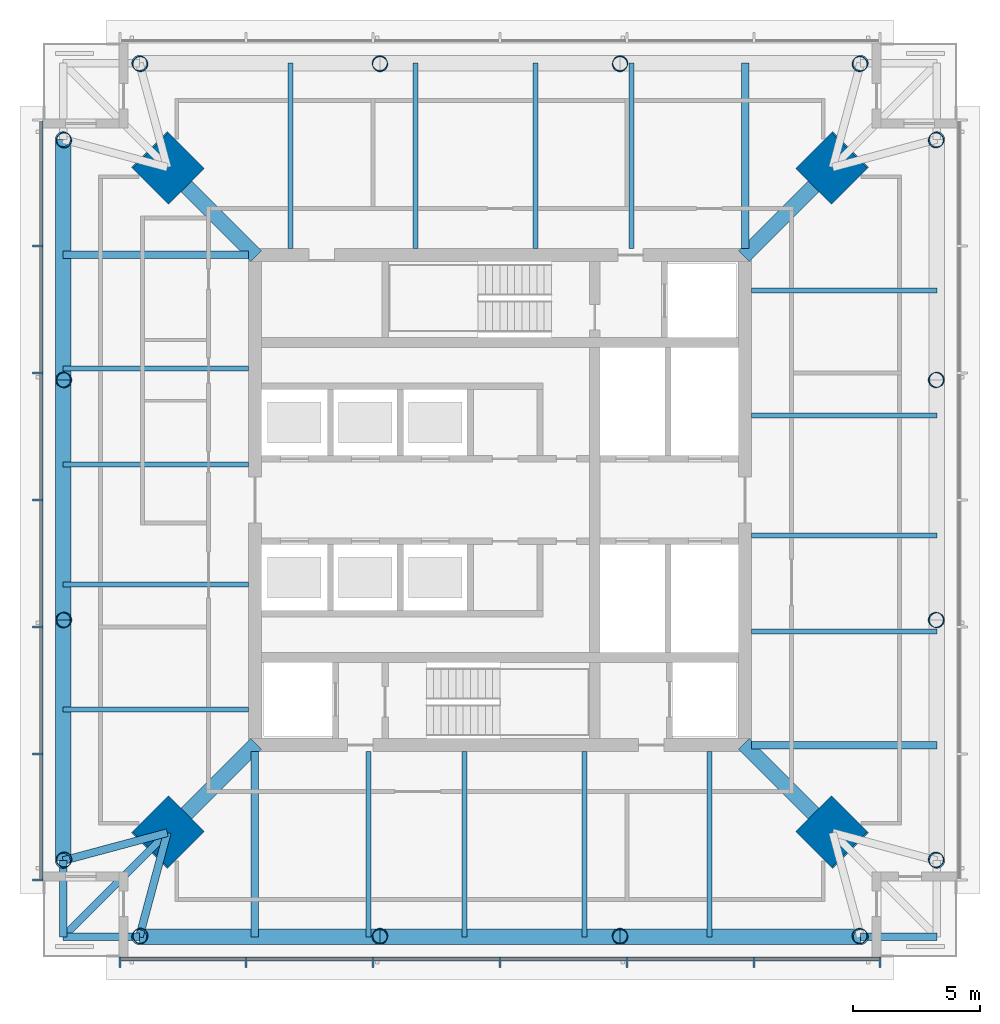
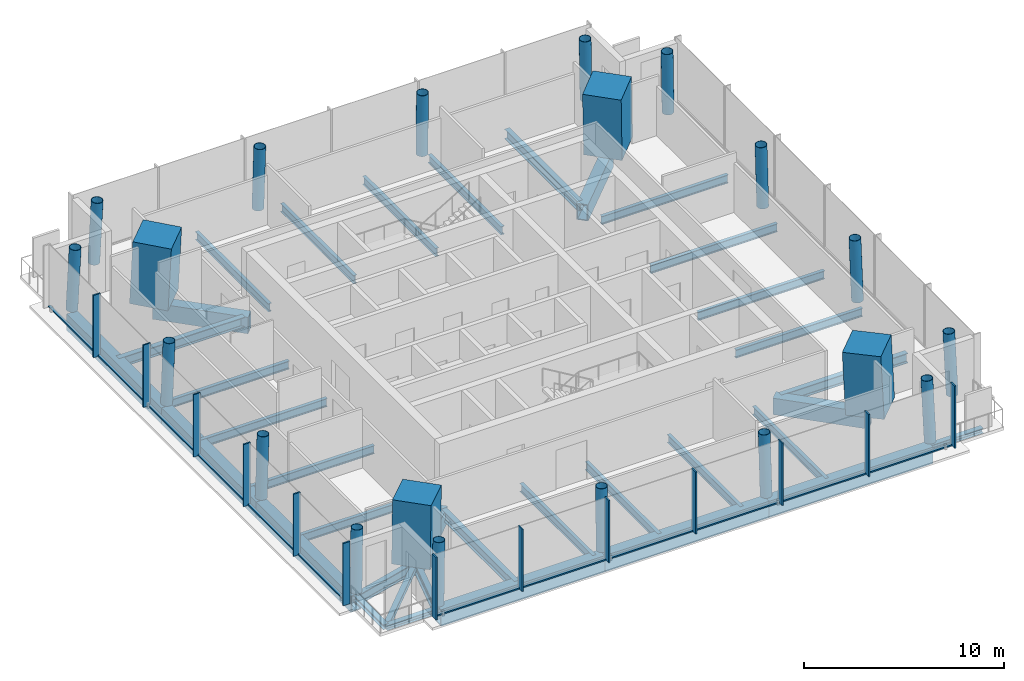
# One storey, part 1 of 10: 35 members, 26 beams, 20 columns, 2 elements without a shape of their own.
"""IFC4 building model written with IfcOpenShell, lengths in metres."""

from ifc_helpers import new_model, si_unit, direction, frame, origin, origin_2d, place, context, subcontext, project, spatial, rectangle, hollow_rectangle, hollow_circle, i_section, extrude, material, material_profile, profile_set, type_object, element, aggregate, save


model = new_model("IFC4")

# Units and contexts
model_context = context("Model", 3, precision=1e-05, world=origin(), true_north=direction((0.0, 1.0)))
body_context = subcontext(model_context, "Body", "Model", "MODEL_VIEW")
ifc_project = project(units=[si_unit("LENGTHUNIT", "METRE"), si_unit("AREAUNIT", "SQUARE_METRE"), si_unit("VOLUMEUNIT", "CUBIC_METRE"), si_unit("PLANEANGLEUNIT", "RADIAN"), si_unit("MASSUNIT", "GRAM", prefix="KILO")], contexts=[model_context])

# Site, building, storey
site_placement = place(None, origin())
site = spatial("IfcSite", under=ifc_project, at=site_placement, CompositionType="ELEMENT")
building_placement = place(site_placement, origin())
building = spatial("IfcBuilding", under=site, at=building_placement, Name="Ostroluk Exchange", CompositionType="ELEMENT")
storey_placement = place(building_placement, frame((0.0, 0.0, 233.800048828125)))
storey = spatial("IfcBuildingStorey", under=building, at=storey_placement, Name="L60", CompositionType="ELEMENT", Elevation=233.800048828125)

# Columns
ifc_material_1 = material(Name="Concrete C50/60", Category="concrete")
ifc_material_profile_1 = material_profile(ifc_material_1, rectangle(XDim=2.0, YDim=2.0, at=origin_2d()), Name="RC 2000x2000")
ifc_profile_set_1 = profile_set([ifc_material_profile_1], Name="Concrete C50/60")
column_type_1 = type_object("IfcColumnType", Name="Mega column RC 2000x2000", PredefinedType="COLUMN", material=ifc_profile_set_1)
for number, where, z_axis, x_axis, name in (
    (1, (58.10009765625, 59.10009765625, 0.0), (-0.031962158256, -0.031962158256, 0.998977898093), (0.707106781187, -0.707106781187, 0.0), "T1 mega column NE"),
    (2, (31.89990234375, 59.10009765625, 0.0), (0.031962158256, -0.031962158256, 0.998977898093), (0.707106781187, 0.707106781187, 0.0), "T1 mega column NW"),
    (3, (31.89990234375, 32.89990234375, 0.0), (0.031962158256, 0.031962158256, 0.998977898093), (-0.707106781187, 0.707106781187, 0.0), "T1 mega column SW"),
    (4, (58.10009765625, 32.89990234375, 0.0), (-0.031962158256, 0.031962158256, 0.998977898093), (-0.707106781187, -0.707106781187, 0.0), "T1 mega column SE"),
):
    element("IfcColumn", number, at=place(storey_placement, frame(where, z_axis=z_axis, x_axis=x_axis)), inside=storey, type_object=column_type_1, Name=name, PredefinedType="COLUMN", context=body_context, shape_type="SweptSolid", body=[
        extrude(rectangle(XDim=2.0, YDim=2.0, at=origin_2d()), origin(), (0.0, 0.0, 1.0), 3.803955078125),
    ])
ifc_material_2 = material(Name="Steel S460", Category="steel")
ifc_material_profile_2 = material_profile(ifc_material_2, hollow_circle(Radius=0.304931640625, WallThickness=0.02490234375, at=origin_2d()), Name="CHS 610x25")
ifc_profile_set_2 = profile_set([ifc_material_profile_2], Name="Steel S460")
column_type_2 = type_object("IfcColumnType", Name="Perimeter column CHS 610x25", PredefinedType="COLUMN", material=ifc_profile_set_2)
for number, where, z_axis, x_axis, name in (
    (5, (62.199951171875, 31.800048828125, 0.0), (-0.031898107953, 0.031898107953, 0.998981992539), (-0.707106781187, -0.707106781187, 0.0), "T1 east face column E0"),
    (6, (62.199951171875, 60.199951171875, 0.0), (-0.031898107953, -0.031898107953, 0.998981992539), (0.707106781187, -0.707106781187, 0.0), "T1 east face column E1"),
):
    element("IfcColumn", number, at=place(storey_placement, frame(where, z_axis=z_axis, x_axis=x_axis)), inside=storey, type_object=column_type_2, Name=name, PredefinedType="COLUMN", context=body_context, shape_type="SweptSolid", body=[
        extrude(hollow_circle(Radius=0.304931640625, WallThickness=0.02490234375, at=origin_2d()), origin(), (0.0, 0.0, 1.0), 3.803955078125),
    ])
for number, where, z_axis, x_axis, name in (
    (7, (62.199951171875, 41.2666015625, 0.0), (-0.031912535354, 0.010658915229, 0.999433828532), (-0.316800238982, -0.948492281772, 0.0), "T1 east face column I1"),
    (8, (62.199951171875, 50.7333984375, 0.0), (-0.031912535354, -0.010658915229, 0.999433828532), (0.316800238982, -0.948492281772, 0.0), "T1 east face column I2"),
):
    element("IfcColumn", number, at=place(storey_placement, frame(where, z_axis=z_axis, x_axis=x_axis)), inside=storey, type_object=column_type_2, Name=name, PredefinedType="COLUMN", context=body_context, shape_type="SweptSolid", body=[
        extrude(hollow_circle(Radius=0.304931640625, WallThickness=0.02490234375, at=origin_2d()), origin(), (0.0, 0.0, 1.0), 3.80224609375),
    ])
for number, where, z_axis, x_axis, name in (
    (9, (59.199951171875, 63.199951171875, 0.0), (-0.031898107953, -0.031898107953, 0.998981992539), (0.707106781187, -0.707106781187, 0.0), "T1 north face column E0"),
    (10, (30.800048828125, 63.199951171875, 0.0), (0.031898107953, -0.031898107953, 0.998981992539), (0.707106781187, 0.707106781187, 0.0), "T1 north face column E1"),
):
    element("IfcColumn", number, at=place(storey_placement, frame(where, z_axis=z_axis, x_axis=x_axis)), inside=storey, type_object=column_type_2, Name=name, PredefinedType="COLUMN", context=body_context, shape_type="SweptSolid", body=[
        extrude(hollow_circle(Radius=0.304931640625, WallThickness=0.02490234375, at=origin_2d()), origin(), (0.0, 0.0, 1.0), 3.803955078125),
    ])
for number, where, z_axis, x_axis, name in (
    (11, (49.7333984375, 63.199951171875, 0.0), (-0.010658915229, -0.031912535354, 0.999433828532), (0.948492281772, -0.316800238982, 0.0), "T1 north face column I1"),
    (12, (40.2666015625, 63.199951171875, 0.0), (0.010658915229, -0.031912535354, 0.999433828532), (0.948492281772, 0.316800238982, 0.0), "T1 north face column I2"),
):
    element("IfcColumn", number, at=place(storey_placement, frame(where, z_axis=z_axis, x_axis=x_axis)), inside=storey, type_object=column_type_2, Name=name, PredefinedType="COLUMN", context=body_context, shape_type="SweptSolid", body=[
        extrude(hollow_circle(Radius=0.304931640625, WallThickness=0.02490234375, at=origin_2d()), origin(), (0.0, 0.0, 1.0), 3.80224609375),
    ])
for number, where, z_axis, x_axis, name in (
    (13, (27.800048828125, 60.199951171875, 0.0), (0.031898107953, -0.031898107953, 0.998981992539), (0.707106781187, 0.707106781187, 0.0), "T1 west face column E0"),
    (14, (27.800048828125, 31.800048828125, 0.0), (0.031898107953, 0.031898107953, 0.998981992539), (-0.707106781187, 0.707106781187, 0.0), "T1 west face column E1"),
):
    element("IfcColumn", number, at=place(storey_placement, frame(where, z_axis=z_axis, x_axis=x_axis)), inside=storey, type_object=column_type_2, Name=name, PredefinedType="COLUMN", context=body_context, shape_type="SweptSolid", body=[
        extrude(hollow_circle(Radius=0.304931640625, WallThickness=0.02490234375, at=origin_2d()), origin(), (0.0, 0.0, 1.0), 3.803955078125),
    ])
for number, where, z_axis, x_axis, name in (
    (15, (27.800048828125, 50.7333984375, 0.0), (0.031912535354, -0.010658915229, 0.999433828532), (0.316800238982, 0.948492281772, 0.0), "T1 west face column I1"),
    (16, (27.800048828125, 41.2666015625, 0.0), (0.031912535354, 0.010658915229, 0.999433828532), (-0.316800238982, 0.948492281772, 0.0), "T1 west face column I2"),
):
    element("IfcColumn", number, at=place(storey_placement, frame(where, z_axis=z_axis, x_axis=x_axis)), inside=storey, type_object=column_type_2, Name=name, PredefinedType="COLUMN", context=body_context, shape_type="SweptSolid", body=[
        extrude(hollow_circle(Radius=0.304931640625, WallThickness=0.02490234375, at=origin_2d()), origin(), (0.0, 0.0, 1.0), 3.80224609375),
    ])
for number, where, z_axis, x_axis, name in (
    (17, (30.800048828125, 28.800048828125, 0.0), (0.031898107953, 0.031898107953, 0.998981992539), (-0.707106781187, 0.707106781187, 0.0), "T1 south face column E0"),
    (18, (59.199951171875, 28.800048828125, 0.0), (-0.031898107953, 0.031898107953, 0.998981992539), (-0.707106781187, -0.707106781187, 0.0), "T1 south face column E1"),
):
    element("IfcColumn", number, at=place(storey_placement, frame(where, z_axis=z_axis, x_axis=x_axis)), inside=storey, type_object=column_type_2, Name=name, PredefinedType="COLUMN", context=body_context, shape_type="SweptSolid", body=[
        extrude(hollow_circle(Radius=0.304931640625, WallThickness=0.02490234375, at=origin_2d()), origin(), (0.0, 0.0, 1.0), 3.803955078125),
    ])
for number, where, z_axis, x_axis, name in (
    (19, (40.2666015625, 28.800048828125, 0.0), (0.010658915229, 0.031912535354, 0.999433828532), (-0.948492281772, 0.316800238982, 0.0), "T1 south face column I1"),
    (20, (49.7333984375, 28.800048828125, 0.0), (-0.010658915229, 0.031912535354, 0.999433828532), (-0.948492281772, -0.316800238982, 0.0), "T1 south face column I2"),
):
    element("IfcColumn", number, at=place(storey_placement, frame(where, z_axis=z_axis, x_axis=x_axis)), inside=storey, type_object=column_type_2, Name=name, PredefinedType="COLUMN", context=body_context, shape_type="SweptSolid", body=[
        extrude(hollow_circle(Radius=0.304931640625, WallThickness=0.02490234375, at=origin_2d()), origin(), (0.0, 0.0, 1.0), 3.80224609375),
    ])

# Beams
ifc_material_3 = material(Name="Steel S355", Category="steel")
ifc_material_profile_3 = material_profile(ifc_material_3, i_section(OverallWidth=0.300048828125, OverallDepth=0.300048828125, WebThickness=0.010986328125, FlangeThickness=0.01904296875, FilletRadius=0.027099609375, at=origin_2d()), Name="HEB 300")
ifc_profile_set_3 = profile_set([ifc_material_profile_3], Name="Steel S355")
beam_type_1 = type_object("IfcBeamType", Name="Balcony beam HEB 300", PredefinedType="BEAM", material=ifc_profile_set_3)
for number, where, z_axis, x_axis, name in (
    (21, (27.800048828125, 31.800048828125, -0.35009765625), (0.0, -1.0, 0.0), (1.0, 0.0, 0.0), "T1 west balcony beam a"),
    (22, (30.800048828125, 28.800048828125, -0.35009765625), (-1.0, 0.0, 0.0), (0.0, -1.0, 0.0), "T1 west balcony beam b"),
):
    element("IfcBeam", number, at=place(storey_placement, frame(where, z_axis=z_axis, x_axis=x_axis)), inside=storey, type_object=beam_type_1, Name=name, PredefinedType="BEAM", context=body_context, shape_type="SweptSolid", body=[
        extrude(i_section(OverallWidth=0.300048828125, OverallDepth=0.300048828125, WebThickness=0.010986328125, FlangeThickness=0.01904296875, FilletRadius=0.027099609375, at=origin_2d()), origin(), (0.0, 0.0, 1.0), 3.0),
    ])
beam_1_placement = place(storey_placement, frame((31.89990234375, 32.89990234375, -0.35009765625), z_axis=(-0.707106781187, -0.707106781187, 0.0), x_axis=(0.707106781187, -0.707106781187, 0.0)))
element("IfcBeam", 23, at=beam_1_placement, inside=storey, type_object=beam_type_1, Name="T1 west balcony beam c", PredefinedType="BEAM", context=body_context, shape_type="SweptSolid", body=[
    extrude(i_section(OverallWidth=0.300048828125, OverallDepth=0.300048828125, WebThickness=0.010986328125, FlangeThickness=0.01904296875, FilletRadius=0.027099609375, at=origin_2d()), origin(), (0.0, 0.0, 1.0), 5.798095703125),
])
beam_2_placement = place(storey_placement, frame((59.199951171875, 28.800048828125, -0.35009765625), z_axis=(1.0, 0.0, 0.0), x_axis=(0.0, 1.0, 0.0)))
element("IfcBeam", 24, at=beam_2_placement, inside=storey, type_object=beam_type_1, Name="T1 south balcony beam a", PredefinedType="BEAM", context=body_context, shape_type="SweptSolid", body=[
    extrude(i_section(OverallWidth=0.300048828125, OverallDepth=0.300048828125, WebThickness=0.010986328125, FlangeThickness=0.01904296875, FilletRadius=0.027099609375, at=origin_2d()), origin(), (0.0, 0.0, 1.0), 3.0),
])

# Members
ifc_material_4 = material(Name="Steel S460", Category="steel")
ifc_material_profile_4 = material_profile(ifc_material_4, hollow_rectangle(XDim=0.60009765625, YDim=1.0, WallThickness=0.06005859375, at=origin_2d()), Name="BOX 600x1000x60")
ifc_profile_set_4 = profile_set([ifc_material_profile_4], Name="Steel S460")
member_type_1 = type_object("IfcMemberType", Name="Belt truss chord BOX 600x1000x60", PredefinedType="CHORD", material=ifc_profile_set_4)
member_1_placement = place(storey_placement, frame((27.800048828125, 60.199951171875, -0.699951171875), z_axis=(0.0, -1.0, 0.0), x_axis=(1.0, 0.0, 0.0)))
element("IfcMember", 25, at=member_1_placement, inside=storey, type_object=member_type_1, Name="Belt truss 3 west chord 3.1", PredefinedType="CHORD", context=body_context, shape_type="SweptSolid", body=[
    extrude(hollow_rectangle(XDim=0.60009765625, YDim=1.0, WallThickness=0.06005859375, at=origin_2d()), origin(), (0.0, 0.0, 1.0), 9.466552734375),
])
member_2_placement = place(storey_placement, frame((27.800048828125, 50.7333984375, -0.699951171875), z_axis=(0.0, -1.0, 0.0), x_axis=(1.0, 0.0, 0.0)))
element("IfcMember", 26, at=member_2_placement, inside=storey, type_object=member_type_1, Name="Belt truss 3 west chord 3.2", PredefinedType="CHORD", context=body_context, shape_type="SweptSolid", body=[
    extrude(hollow_rectangle(XDim=0.60009765625, YDim=1.0, WallThickness=0.06005859375, at=origin_2d()), origin(), (0.0, 0.0, 1.0), 9.466796875),
])
for number, where, z_axis, x_axis, name in (
    (27, (27.800048828125, 41.2666015625, -0.699951171875), (0.0, -1.0, 0.0), (1.0, 0.0, 0.0), "Belt truss 3 west chord 3.3"),
    (28, (30.800048828125, 28.800048828125, -0.699951171875), (1.0, 0.0, 0.0), (0.0, 1.0, 0.0), "Belt truss 3 south chord 3.1"),
):
    element("IfcMember", number, at=place(storey_placement, frame(where, z_axis=z_axis, x_axis=x_axis)), inside=storey, type_object=member_type_1, Name=name, PredefinedType="CHORD", context=body_context, shape_type="SweptSolid", body=[
        extrude(hollow_rectangle(XDim=0.60009765625, YDim=1.0, WallThickness=0.06005859375, at=origin_2d()), origin(), (0.0, 0.0, 1.0), 9.466552734375),
    ])
member_3_placement = place(storey_placement, frame((40.2666015625, 28.800048828125, -0.699951171875), z_axis=(1.0, 0.0, 0.0), x_axis=(0.0, 1.0, 0.0)))
element("IfcMember", 29, at=member_3_placement, inside=storey, type_object=member_type_1, Name="Belt truss 3 south chord 3.2", PredefinedType="CHORD", context=body_context, shape_type="SweptSolid", body=[
    extrude(hollow_rectangle(XDim=0.60009765625, YDim=1.0, WallThickness=0.06005859375, at=origin_2d()), origin(), (0.0, 0.0, 1.0), 9.466796875),
])
member_4_placement = place(storey_placement, frame((49.7333984375, 28.800048828125, -0.699951171875), z_axis=(1.0, 0.0, 0.0), x_axis=(0.0, 1.0, 0.0)))
element("IfcMember", 30, at=member_4_placement, inside=storey, type_object=member_type_1, Name="Belt truss 3 south chord 3.3", PredefinedType="CHORD", context=body_context, shape_type="SweptSolid", body=[
    extrude(hollow_rectangle(XDim=0.60009765625, YDim=1.0, WallThickness=0.06005859375, at=origin_2d()), origin(), (0.0, 0.0, 1.0), 9.466552734375),
])

# Beams
ifc_material_5 = material(Name="Steel S460", Category="steel")
ifc_material_profile_5 = material_profile(ifc_material_5, i_section(OverallWidth=0.304931640625, OverallDepth=0.6201171875, WebThickness=0.02099609375, FlangeThickness=0.0400390625, FilletRadius=0.027099609375, at=origin_2d()), Name="HEM 600")
ifc_profile_set_5 = profile_set([ifc_material_profile_5], Name="Steel S460")
beam_type_2 = type_object("IfcBeamType", Name="Corner edge beam HEM 600", PredefinedType="SPANDREL", material=ifc_profile_set_5)
for number, where, z_axis, x_axis, name in (
    (31, (31.89990234375, 32.89990234375, -0.510009765625), (-0.965849156574, -0.259105011038, 0.0), (0.259105011038, -0.965849156574, 0.0), "T1 west corner edge beam a"),
    (32, (31.89990234375, 32.89990234375, -0.510009765625), (-0.259105011038, -0.965849156574, 0.0), (0.965849156574, -0.259105011038, 0.0), "T1 west corner edge beam b"),
):
    element("IfcBeam", number, at=place(storey_placement, frame(where, z_axis=z_axis, x_axis=x_axis)), inside=storey, type_object=beam_type_2, Name=name, PredefinedType="SPANDREL", context=body_context, shape_type="SweptSolid", body=[
        extrude(i_section(OverallWidth=0.304931640625, OverallDepth=0.6201171875, WebThickness=0.02099609375, FlangeThickness=0.0400390625, FilletRadius=0.027099609375, at=origin_2d()), origin(), (0.0, 0.0, 1.0), 4.244873046875),
    ])
ifc_material_6 = material(Name="Steel S355", Category="steel")
ifc_material_profile_6 = material_profile(ifc_material_6, i_section(OverallWidth=0.199951171875, OverallDepth=0.5, WebThickness=0.01025390625, FlangeThickness=0.01611328125, FilletRadius=0.02099609375, at=origin_2d()), Name="IPE 500")
ifc_profile_set_6 = profile_set([ifc_material_profile_6], Name="Steel S355")
beam_type_3 = type_object("IfcBeamType", Name="Floor beam IPE 500", PredefinedType="BEAM", material=ifc_profile_set_6)
for number, where, z_axis, x_axis, name in (
    (33, (54.89990234375, 40.824951171875, -0.449951171875), (1.0, 0.0, 0.0), (0.0, 1.0, 0.0), "T1 east floor beam 1"),
    (34, (54.89990234375, 44.60009765625, -0.449951171875), (1.0, 0.0, 0.0), (0.0, 1.0, 0.0), "T1 east floor beam 2"),
    (35, (54.89990234375, 49.333251953125, -0.449951171875), (1.0, 0.0, 0.0), (0.0, 1.0, 0.0), "T1 east floor beam 3"),
    (36, (54.89990234375, 54.25, -0.449951171875), (1.0, 0.0, 0.0), (0.0, 1.0, 0.0), "T1 east floor beam 4"),
    (37, (50.175048828125, 55.89990234375, -0.449951171875), (0.0, 1.0, 0.0), (-1.0, 0.0, 0.0), "T1 north floor beam 1"),
    (38, (46.39990234375, 55.89990234375, -0.449951171875), (0.0, 1.0, 0.0), (-1.0, 0.0, 0.0), "T1 north floor beam 2"),
    (39, (41.666748046875, 55.89990234375, -0.449951171875), (0.0, 1.0, 0.0), (-1.0, 0.0, 0.0), "T1 north floor beam 3"),
    (40, (36.75, 55.89990234375, -0.449951171875), (0.0, 1.0, 0.0), (-1.0, 0.0, 0.0), "T1 north floor beam 4"),
    (41, (35.10009765625, 51.175048828125, -0.449951171875), (-1.0, 0.0, 0.0), (0.0, -1.0, 0.0), "T1 west floor beam 1"),
    (42, (35.10009765625, 47.39990234375, -0.449951171875), (-1.0, 0.0, 0.0), (0.0, -1.0, 0.0), "T1 west floor beam 2"),
    (43, (35.10009765625, 42.666748046875, -0.449951171875), (-1.0, 0.0, 0.0), (0.0, -1.0, 0.0), "T1 west floor beam 3"),
    (44, (35.10009765625, 37.75, -0.449951171875), (-1.0, 0.0, 0.0), (0.0, -1.0, 0.0), "T1 west floor beam 4"),
    (45, (39.824951171875, 36.10009765625, -0.449951171875), (0.0, -1.0, 0.0), (1.0, 0.0, 0.0), "T1 south floor beam 1"),
    (46, (43.60009765625, 36.10009765625, -0.449951171875), (0.0, -1.0, 0.0), (1.0, 0.0, 0.0), "T1 south floor beam 2"),
    (47, (48.333251953125, 36.10009765625, -0.449951171875), (0.0, -1.0, 0.0), (1.0, 0.0, 0.0), "T1 south floor beam 3"),
    (48, (53.25, 36.10009765625, -0.449951171875), (0.0, -1.0, 0.0), (1.0, 0.0, 0.0), "T1 south floor beam 4"),
):
    element("IfcBeam", number, at=place(storey_placement, frame(where, z_axis=z_axis, x_axis=x_axis)), inside=storey, type_object=beam_type_3, Name=name, PredefinedType="BEAM", context=body_context, shape_type="SweptSolid", body=[
        extrude(i_section(OverallWidth=0.199951171875, OverallDepth=0.5, WebThickness=0.01025390625, FlangeThickness=0.01611328125, FilletRadius=0.02099609375, at=origin_2d()), origin(), (0.0, 0.0, 1.0), 7.300048828125),
    ])
ifc_material_7 = material(Name="Steel S355", Category="steel")
ifc_material_profile_7 = material_profile(ifc_material_7, i_section(OverallWidth=0.300048828125, OverallDepth=0.60009765625, WebThickness=0.015380859375, FlangeThickness=0.030029296875, FilletRadius=0.027099609375, at=origin_2d()), Name="HEB 600")
ifc_profile_set_7 = profile_set([ifc_material_profile_7], Name="Steel S355")
beam_type_4 = type_object("IfcBeamType", Name="Girder HEB 600", PredefinedType="BEAM", material=ifc_profile_set_7)
for number, where, z_axis, x_axis, name in (
    (49, (54.64990234375, 55.89990234375, -0.5), (0.0, 1.0, 0.0), (-1.0, 0.0, 0.0), "T1 east girder"),
    (50, (35.10009765625, 55.64990234375, -0.5), (-1.0, 0.0, 0.0), (0.0, -1.0, 0.0), "T1 north girder"),
    (51, (35.35009765625, 36.10009765625, -0.5), (0.0, -1.0, 0.0), (1.0, 0.0, 0.0), "T1 west girder"),
    (52, (54.89990234375, 36.35009765625, -0.5), (1.0, 0.0, 0.0), (0.0, 1.0, 0.0), "T1 south girder"),
):
    element("IfcBeam", number, at=place(storey_placement, frame(where, z_axis=z_axis, x_axis=x_axis)), inside=storey, type_object=beam_type_4, Name=name, PredefinedType="BEAM", context=body_context, shape_type="SweptSolid", body=[
        extrude(i_section(OverallWidth=0.300048828125, OverallDepth=0.60009765625, WebThickness=0.015380859375, FlangeThickness=0.030029296875, FilletRadius=0.027099609375, at=origin_2d()), origin(), (0.0, 0.0, 1.0), 7.300048828125),
    ])

# Members
ifc_material_8 = material(Name="Steel S460", Category="steel")
ifc_material_profile_8 = material_profile(ifc_material_8, hollow_rectangle(XDim=0.60009765625, YDim=1.0, WallThickness=0.06005859375, at=origin_2d()), Name="BOX 600x1000x60")
ifc_profile_set_8 = profile_set([ifc_material_profile_8], Name="Steel S460")
member_type_2 = type_object("IfcMemberType", Name="Outrigger chord BOX 600x1000x60", PredefinedType="CHORD", material=ifc_profile_set_8)
for number, where, z_axis, x_axis, name in (
    (53, (54.60009765625, 55.60009765625, -0.699951171875), (0.707106781187, 0.707106781187, 0.0), (-0.707106781187, 0.707106781187, 0.0), "Outrigger 3 NE chord 3"),
    (54, (35.39990234375, 55.60009765625, -0.699951171875), (-0.707106781187, 0.707106781187, 0.0), (-0.707106781187, -0.707106781187, 0.0), "Outrigger 3 NW chord 3"),
    (55, (35.39990234375, 36.39990234375, -0.699951171875), (-0.707106781187, -0.707106781187, 0.0), (0.707106781187, -0.707106781187, 0.0), "Outrigger 3 SW chord 3"),
    (56, (54.60009765625, 36.39990234375, -0.699951171875), (0.707106781187, -0.707106781187, 0.0), (0.707106781187, 0.707106781187, 0.0), "Outrigger 3 SE chord 3"),
):
    element("IfcMember", number, at=place(storey_placement, frame(where, z_axis=z_axis, x_axis=x_axis)), inside=storey, type_object=member_type_2, Name=name, PredefinedType="CHORD", context=body_context, shape_type="SweptSolid", body=[
        extrude(hollow_rectangle(XDim=0.60009765625, YDim=1.0, WallThickness=0.06005859375, at=origin_2d()), origin(), (0.0, 0.0, 1.0), 4.94970703125),
    ])

# Curtain wall, members
ifc_material_9 = material(Name="Laminated clear glass", Category="glass")
curtain_wall_type = type_object("IfcCurtainWallType", Name="Office tower plant and sky lobby facade", PredefinedType="USERDEFINED", material=ifc_material_9)
curtain_wall_1_placement = place(storey_placement, origin())
curtain_wall_1 = element("IfcCurtainWall", 57, at=curtain_wall_1_placement, inside=storey, type_object=curtain_wall_type, Name="Office tower south facade L60", ObjectType="LOUVRED CURTAIN WALL", PredefinedType="USERDEFINED")
ifc_material_10 = material(Name="Aluminium mullion", Category="aluminium")
ifc_material_profile_9 = material_profile(ifc_material_10, rectangle(XDim=0.14990234375, YDim=0.080078125, at=origin_2d()), Name="Sill transom 80 x 150")
ifc_profile_set_9 = profile_set([ifc_material_profile_9], Name="Aluminium mullion")
member_type_3 = type_object("IfcMemberType", Name="Sill transom 80 x 150", PredefinedType="USERDEFINED", material=ifc_profile_set_9)
member_5_placement = place(storey_placement, frame((30.080078125, 27.925048828125, 0.0400390625), z_axis=(1.0, 0.0, 0.0), x_axis=(0.0, 1.0, 0.0)))
member_5 = element("IfcMember", 58, at=member_5_placement, type_object=member_type_3, Name="CW-P1 transom 1.1", ObjectType="TRANSOM", PredefinedType="USERDEFINED", context=body_context, shape_type="SweptSolid", body=[
    extrude(rectangle(XDim=0.14990234375, YDim=0.080078125, at=origin_2d()), origin(), (0.0, 0.0, 1.0), 4.8798828125),
])
member_6_placement = place(storey_placement, frame((35.0400390625, 27.925048828125, 0.0400390625), z_axis=(1.0, 0.0, 0.0), x_axis=(0.0, 1.0, 0.0)))
member_6 = element("IfcMember", 59, at=member_6_placement, type_object=member_type_3, Name="CW-P1 transom 2.1", ObjectType="TRANSOM", PredefinedType="USERDEFINED", context=body_context, shape_type="SweptSolid", body=[
    extrude(rectangle(XDim=0.14990234375, YDim=0.080078125, at=origin_2d()), origin(), (0.0, 0.0, 1.0), 4.919921875),
])
member_7_placement = place(storey_placement, frame((40.0400390625, 27.925048828125, 0.0400390625), z_axis=(1.0, 0.0, 0.0), x_axis=(0.0, 1.0, 0.0)))
member_7 = element("IfcMember", 60, at=member_7_placement, type_object=member_type_3, Name="CW-P1 transom 3.1", ObjectType="TRANSOM", PredefinedType="USERDEFINED", context=body_context, shape_type="SweptSolid", body=[
    extrude(rectangle(XDim=0.14990234375, YDim=0.080078125, at=origin_2d()), origin(), (0.0, 0.0, 1.0), 4.919921875),
])
member_8_placement = place(storey_placement, frame((45.0400390625, 27.925048828125, 0.0400390625), z_axis=(1.0, 0.0, 0.0), x_axis=(0.0, 1.0, 0.0)))
member_8 = element("IfcMember", 61, at=member_8_placement, type_object=member_type_3, Name="CW-P1 transom 4.1", ObjectType="TRANSOM", PredefinedType="USERDEFINED", context=body_context, shape_type="SweptSolid", body=[
    extrude(rectangle(XDim=0.14990234375, YDim=0.080078125, at=origin_2d()), origin(), (0.0, 0.0, 1.0), 4.919921875),
])
member_9_placement = place(storey_placement, frame((50.0400390625, 27.925048828125, 0.0400390625), z_axis=(1.0, 0.0, 0.0), x_axis=(0.0, 1.0, 0.0)))
member_9 = element("IfcMember", 62, at=member_9_placement, type_object=member_type_3, Name="CW-P1 transom 5.1", ObjectType="TRANSOM", PredefinedType="USERDEFINED", context=body_context, shape_type="SweptSolid", body=[
    extrude(rectangle(XDim=0.14990234375, YDim=0.080078125, at=origin_2d()), origin(), (0.0, 0.0, 1.0), 4.919921875),
])
member_10_placement = place(storey_placement, frame((55.0400390625, 27.925048828125, 0.0400390625), z_axis=(1.0, 0.0, 0.0), x_axis=(0.0, 1.0, 0.0)))
member_10 = element("IfcMember", 63, at=member_10_placement, type_object=member_type_3, Name="CW-P1 transom 6.1", ObjectType="TRANSOM", PredefinedType="USERDEFINED", context=body_context, shape_type="SweptSolid", body=[
    extrude(rectangle(XDim=0.14990234375, YDim=0.080078125, at=origin_2d()), origin(), (0.0, 0.0, 1.0), 4.8798828125),
])

curtain_wall_2_placement = place(storey_placement, origin())
curtain_wall_2 = element("IfcCurtainWall", 64, at=curtain_wall_2_placement, inside=storey, type_object=curtain_wall_type, Name="Office tower west facade L60", ObjectType="LOUVRED CURTAIN WALL", PredefinedType="USERDEFINED")
member_11_placement = place(storey_placement, frame((26.925048828125, 60.919921875, 0.0400390625), z_axis=(0.0, -1.0, 0.0), x_axis=(1.0, 0.0, 0.0)))
member_11 = element("IfcMember", 65, at=member_11_placement, type_object=member_type_3, Name="CW-P1 transom 1.1", ObjectType="TRANSOM", PredefinedType="USERDEFINED", context=body_context, shape_type="SweptSolid", body=[
    extrude(rectangle(XDim=0.14990234375, YDim=0.080078125, at=origin_2d()), origin(), (0.0, 0.0, 1.0), 4.8798828125),
])
member_12_placement = place(storey_placement, frame((26.925048828125, 55.9599609375, 0.0400390625), z_axis=(0.0, -1.0, 0.0), x_axis=(1.0, 0.0, 0.0)))
member_12 = element("IfcMember", 66, at=member_12_placement, type_object=member_type_3, Name="CW-P1 transom 2.1", ObjectType="TRANSOM", PredefinedType="USERDEFINED", context=body_context, shape_type="SweptSolid", body=[
    extrude(rectangle(XDim=0.14990234375, YDim=0.080078125, at=origin_2d()), origin(), (0.0, 0.0, 1.0), 4.919921875),
])
member_13_placement = place(storey_placement, frame((26.925048828125, 50.9599609375, 0.0400390625), z_axis=(0.0, -1.0, 0.0), x_axis=(1.0, 0.0, 0.0)))
member_13 = element("IfcMember", 67, at=member_13_placement, type_object=member_type_3, Name="CW-P1 transom 3.1", ObjectType="TRANSOM", PredefinedType="USERDEFINED", context=body_context, shape_type="SweptSolid", body=[
    extrude(rectangle(XDim=0.14990234375, YDim=0.080078125, at=origin_2d()), origin(), (0.0, 0.0, 1.0), 4.919921875),
])
member_14_placement = place(storey_placement, frame((26.925048828125, 45.9599609375, 0.0400390625), z_axis=(0.0, -1.0, 0.0), x_axis=(1.0, 0.0, 0.0)))
member_14 = element("IfcMember", 68, at=member_14_placement, type_object=member_type_3, Name="CW-P1 transom 4.1", ObjectType="TRANSOM", PredefinedType="USERDEFINED", context=body_context, shape_type="SweptSolid", body=[
    extrude(rectangle(XDim=0.14990234375, YDim=0.080078125, at=origin_2d()), origin(), (0.0, 0.0, 1.0), 4.919921875),
])
member_15_placement = place(storey_placement, frame((26.925048828125, 40.9599609375, 0.0400390625), z_axis=(0.0, -1.0, 0.0), x_axis=(1.0, 0.0, 0.0)))
member_15 = element("IfcMember", 69, at=member_15_placement, type_object=member_type_3, Name="CW-P1 transom 5.1", ObjectType="TRANSOM", PredefinedType="USERDEFINED", context=body_context, shape_type="SweptSolid", body=[
    extrude(rectangle(XDim=0.14990234375, YDim=0.080078125, at=origin_2d()), origin(), (0.0, 0.0, 1.0), 4.919921875),
])
member_16_placement = place(storey_placement, frame((26.925048828125, 35.9599609375, 0.0400390625), z_axis=(0.0, -1.0, 0.0), x_axis=(1.0, 0.0, 0.0)))
member_16 = element("IfcMember", 70, at=member_16_placement, type_object=member_type_3, Name="CW-P1 transom 6.1", ObjectType="TRANSOM", PredefinedType="USERDEFINED", context=body_context, shape_type="SweptSolid", body=[
    extrude(rectangle(XDim=0.14990234375, YDim=0.080078125, at=origin_2d()), origin(), (0.0, 0.0, 1.0), 4.8798828125),
])

# Member
ifc_material_11 = material(Name="Aluminium mullion with limestone facing", Category="masonry")
ifc_material_profile_10 = material_profile(ifc_material_11, rectangle(XDim=0.39990234375, YDim=0.080078125, at=origin_2d()), Name="Tracery mullion 80 x 400")
ifc_profile_set_10 = profile_set([ifc_material_profile_10], Name="Aluminium mullion with limestone facing")
member_type_4 = type_object("IfcMemberType", Name="Tracery mullion 80 x 400", PredefinedType="MULLION", material=ifc_profile_set_10)
member_17_placement = place(storey_placement, frame((30.0400390625, 27.800048828125, 0.0), z_axis=(0.0, 0.0, 1.0), x_axis=(0.0, 1.0, 0.0)))
member_17 = element("IfcMember", 71, at=member_17_placement, type_object=member_type_4, Name="CW-P1 mullion 1", PredefinedType="MULLION", context=body_context, shape_type="SweptSolid", body=[
    extrude(rectangle(XDim=0.39990234375, YDim=0.080078125, at=origin_2d()), origin(), (0.0, 0.0, 1.0), 3.800048828125),
])

member_18_placement = place(storey_placement, frame((35.0, 27.800048828125, 0.0), z_axis=(0.0, 0.0, 1.0), x_axis=(0.0, 1.0, 0.0)))
member_18 = element("IfcMember", 72, at=member_18_placement, type_object=member_type_4, Name="CW-P1 mullion 2", PredefinedType="MULLION", context=body_context, shape_type="SweptSolid", body=[
    extrude(rectangle(XDim=0.39990234375, YDim=0.080078125, at=origin_2d()), origin(), (0.0, 0.0, 1.0), 3.800048828125),
])

member_19_placement = place(storey_placement, frame((40.0, 27.800048828125, 0.0), z_axis=(0.0, 0.0, 1.0), x_axis=(0.0, 1.0, 0.0)))
member_19 = element("IfcMember", 73, at=member_19_placement, type_object=member_type_4, Name="CW-P1 mullion 3", PredefinedType="MULLION", context=body_context, shape_type="SweptSolid", body=[
    extrude(rectangle(XDim=0.39990234375, YDim=0.080078125, at=origin_2d()), origin(), (0.0, 0.0, 1.0), 3.800048828125),
])

member_20_placement = place(storey_placement, frame((45.0, 27.800048828125, 0.0), z_axis=(0.0, 0.0, 1.0), x_axis=(0.0, 1.0, 0.0)))
member_20 = element("IfcMember", 74, at=member_20_placement, type_object=member_type_4, Name="CW-P1 mullion 4", PredefinedType="MULLION", context=body_context, shape_type="SweptSolid", body=[
    extrude(rectangle(XDim=0.39990234375, YDim=0.080078125, at=origin_2d()), origin(), (0.0, 0.0, 1.0), 3.800048828125),
])

member_21_placement = place(storey_placement, frame((50.0, 27.800048828125, 0.0), z_axis=(0.0, 0.0, 1.0), x_axis=(0.0, 1.0, 0.0)))
member_21 = element("IfcMember", 75, at=member_21_placement, type_object=member_type_4, Name="CW-P1 mullion 5", PredefinedType="MULLION", context=body_context, shape_type="SweptSolid", body=[
    extrude(rectangle(XDim=0.39990234375, YDim=0.080078125, at=origin_2d()), origin(), (0.0, 0.0, 1.0), 3.800048828125),
])

member_22_placement = place(storey_placement, frame((55.0, 27.800048828125, 0.0), z_axis=(0.0, 0.0, 1.0), x_axis=(0.0, 1.0, 0.0)))
member_22 = element("IfcMember", 76, at=member_22_placement, type_object=member_type_4, Name="CW-P1 mullion 6", PredefinedType="MULLION", context=body_context, shape_type="SweptSolid", body=[
    extrude(rectangle(XDim=0.39990234375, YDim=0.080078125, at=origin_2d()), origin(), (0.0, 0.0, 1.0), 3.800048828125),
])

member_23_placement = place(storey_placement, frame((59.9599609375, 27.800048828125, 0.0), z_axis=(0.0, 0.0, 1.0), x_axis=(0.0, 1.0, 0.0)))
member_23 = element("IfcMember", 77, at=member_23_placement, type_object=member_type_4, Name="CW-P1 mullion 7", PredefinedType="MULLION", context=body_context, shape_type="SweptSolid", body=[
    extrude(rectangle(XDim=0.39990234375, YDim=0.080078125, at=origin_2d()), origin(), (0.0, 0.0, 1.0), 3.800048828125),
])

aggregate(curtain_wall_1, [member_17, member_18, member_19, member_20, member_21, member_22, member_23, member_5, member_6, member_7, member_8, member_9, member_10])

member_24_placement = place(storey_placement, frame((26.800048828125, 56.0, 0.0), z_axis=(0.0, 0.0, 1.0), x_axis=(1.0, 0.0, 0.0)))
member_24 = element("IfcMember", 78, at=member_24_placement, type_object=member_type_4, Name="CW-P1 mullion 2", PredefinedType="MULLION", context=body_context, shape_type="SweptSolid", body=[
    extrude(rectangle(XDim=0.39990234375, YDim=0.080078125, at=origin_2d()), origin(), (0.0, 0.0, 1.0), 3.800048828125),
])

member_25_placement = place(storey_placement, frame((26.800048828125, 51.0, 0.0), z_axis=(0.0, 0.0, 1.0), x_axis=(1.0, 0.0, 0.0)))
member_25 = element("IfcMember", 79, at=member_25_placement, type_object=member_type_4, Name="CW-P1 mullion 3", PredefinedType="MULLION", context=body_context, shape_type="SweptSolid", body=[
    extrude(rectangle(XDim=0.39990234375, YDim=0.080078125, at=origin_2d()), origin(), (0.0, 0.0, 1.0), 3.800048828125),
])

member_26_placement = place(storey_placement, frame((26.800048828125, 46.0, 0.0), z_axis=(0.0, 0.0, 1.0), x_axis=(1.0, 0.0, 0.0)))
member_26 = element("IfcMember", 80, at=member_26_placement, type_object=member_type_4, Name="CW-P1 mullion 4", PredefinedType="MULLION", context=body_context, shape_type="SweptSolid", body=[
    extrude(rectangle(XDim=0.39990234375, YDim=0.080078125, at=origin_2d()), origin(), (0.0, 0.0, 1.0), 3.800048828125),
])

member_27_placement = place(storey_placement, frame((26.800048828125, 41.0, 0.0), z_axis=(0.0, 0.0, 1.0), x_axis=(1.0, 0.0, 0.0)))
member_27 = element("IfcMember", 81, at=member_27_placement, type_object=member_type_4, Name="CW-P1 mullion 5", PredefinedType="MULLION", context=body_context, shape_type="SweptSolid", body=[
    extrude(rectangle(XDim=0.39990234375, YDim=0.080078125, at=origin_2d()), origin(), (0.0, 0.0, 1.0), 3.800048828125),
])

member_28_placement = place(storey_placement, frame((26.800048828125, 36.0, 0.0), z_axis=(0.0, 0.0, 1.0), x_axis=(1.0, 0.0, 0.0)))
member_28 = element("IfcMember", 82, at=member_28_placement, type_object=member_type_4, Name="CW-P1 mullion 6", PredefinedType="MULLION", context=body_context, shape_type="SweptSolid", body=[
    extrude(rectangle(XDim=0.39990234375, YDim=0.080078125, at=origin_2d()), origin(), (0.0, 0.0, 1.0), 3.800048828125),
])

member_29_placement = place(storey_placement, frame((26.800048828125, 31.0400390625, 0.0), z_axis=(0.0, 0.0, 1.0), x_axis=(1.0, 0.0, 0.0)))
member_29 = element("IfcMember", 83, at=member_29_placement, type_object=member_type_4, Name="CW-P1 mullion 7", PredefinedType="MULLION", context=body_context, shape_type="SweptSolid", body=[
    extrude(rectangle(XDim=0.39990234375, YDim=0.080078125, at=origin_2d()), origin(), (0.0, 0.0, 1.0), 3.800048828125),
])

aggregate(curtain_wall_2, [member_24, member_25, member_26, member_27, member_28, member_29, member_11, member_12, member_13, member_14, member_15, member_16])

save(model, "model.ifc")
